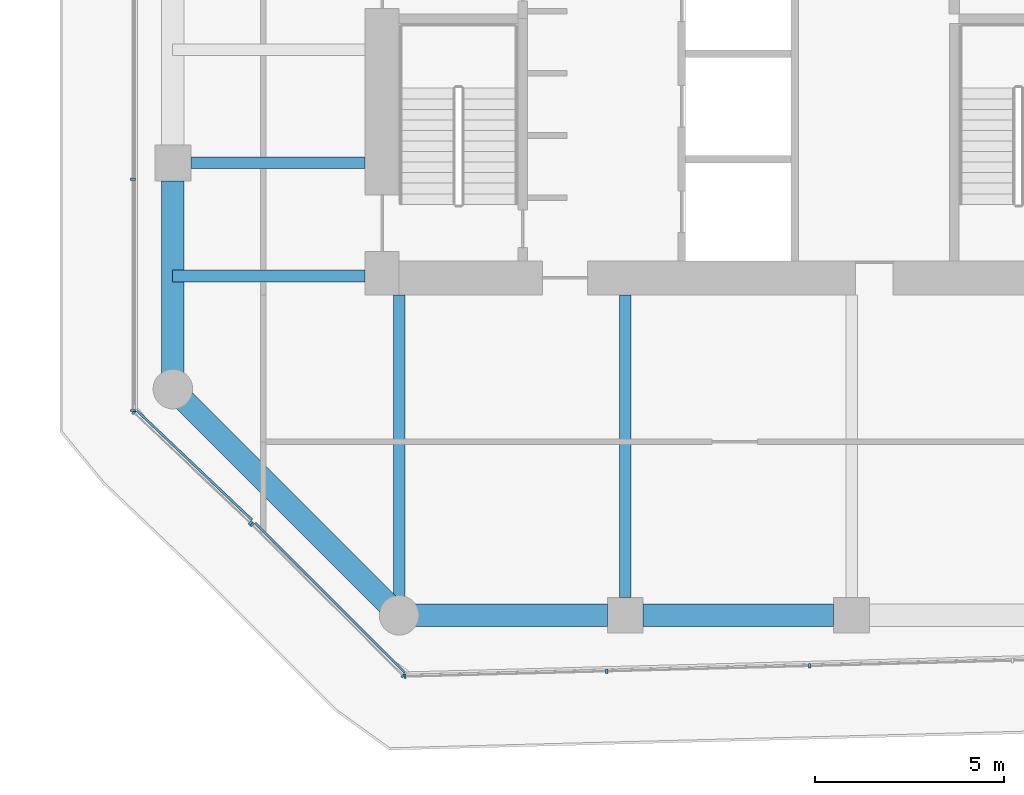
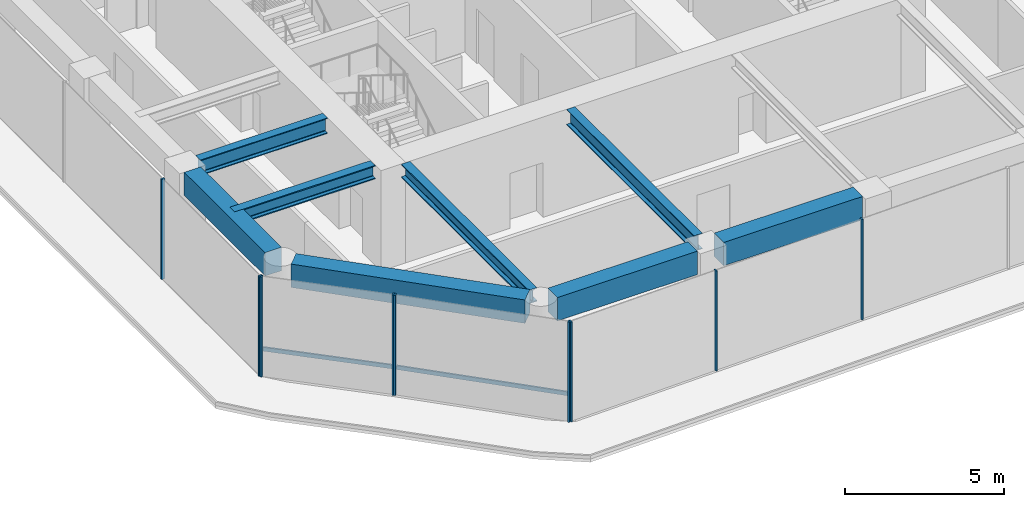
# One storey, part 2 of 29: 11 members, 8 beams, 4 elements without a shape of their own.
"""IFC4 building model written with IfcOpenShell, lengths in metres."""

from ifc_helpers import new_model, si_unit, direction, frame, origin, origin_2d, place, context, subcontext, project, spatial, rectangle, i_section, extrude, material, layer, layer_set, material_profile, profile_set, type_object, element, aggregate, save


model = new_model("IFC4")

# Units and contexts
model_context = context("Model", 3, precision=1e-05, world=origin(), true_north=direction((0.0, 1.0)))
body_context = subcontext(model_context, "Body", "Model", "MODEL_VIEW")
ifc_project = project(units=[si_unit("LENGTHUNIT", "METRE"), si_unit("AREAUNIT", "SQUARE_METRE"), si_unit("VOLUMEUNIT", "CUBIC_METRE"), si_unit("PLANEANGLEUNIT", "RADIAN"), si_unit("MASSUNIT", "GRAM", prefix="KILO")], contexts=[model_context])

# Site, building, storey
site_placement = place(None, origin())
site = spatial("IfcSite", under=ifc_project, at=site_placement, CompositionType="ELEMENT")
building_placement = place(site_placement, origin())
building = spatial("IfcBuilding", under=site, at=building_placement, Name="Welwitschia Terrace Campus", CompositionType="ELEMENT")
storey_placement = place(building_placement, frame((0.0, 0.0, 58.39990234375)))
storey = spatial("IfcBuildingStorey", under=building, at=storey_placement, Name="L13", CompositionType="ELEMENT", Elevation=58.39990234375)

# Beams
ifc_material_1 = material(Name="Steel S355", Category="steel")
ifc_material_profile_1 = material_profile(ifc_material_1, i_section(OverallWidth=0.305908203125, OverallDepth=0.52392578125, WebThickness=0.02099609375, FlangeThickness=0.0400390625, FilletRadius=0.027099609375, at=origin_2d()))
ifc_profile_set_1 = profile_set([ifc_material_profile_1], Name="Steel S355")
beam_type_1 = type_object("IfcBeamType", Name="Interior girder HE 500 M", PredefinedType="BEAM", material=ifc_profile_set_1)
beam_1_placement = place(storey_placement, frame((-0.010009765625, 5.0, 3.588134765625), z_axis=(1.0, 0.0, 0.0), x_axis=(0.0, 1.0, 0.0)))
element("IfcBeam", 1, at=beam_1_placement, inside=storey, type_object=beam_type_1, Name="Girder GB2", PredefinedType="BEAM", context=body_context, shape_type="SweptSolid", body=[
    extrude(i_section(OverallWidth=0.305908203125, OverallDepth=0.52392578125, WebThickness=0.02099609375, FlangeThickness=0.0400390625, FilletRadius=0.027099609375, at=origin_2d()), origin(), (0.0, 0.0, 1.0), 5.109130859375),
])
beam_2_placement = place(storey_placement, frame((6.0, -3.507080078125, 3.588134765625), z_axis=(0.0, 1.0, 0.0), x_axis=(-1.0, 0.0, 0.0)))
element("IfcBeam", 2, at=beam_2_placement, inside=storey, type_object=beam_type_1, Name="Girder GB2", PredefinedType="BEAM", context=body_context, shape_type="SweptSolid", body=[
    extrude(i_section(OverallWidth=0.305908203125, OverallDepth=0.52392578125, WebThickness=0.02099609375, FlangeThickness=0.0400390625, FilletRadius=0.027099609375, at=origin_2d()), origin(), (0.0, 0.0, 1.0), 8.006103515625),
])

# Curtain wall, members
ifc_material_2 = material(Name="Bronze anodised aluminium", Category="aluminium")
ifc_layer = layer(ifc_material_2, 0.1201171875)
ifc_layer_set = layer_set([ifc_layer], Name="Bronze anodised aluminium")
curtain_wall_type = type_object("IfcCurtainWallType", Name="Curtain wall CW2 tower 6000", PredefinedType="NOTDEFINED", material=ifc_layer_set)
curtain_wall_1_placement = place(storey_placement, origin())
curtain_wall_1 = element("IfcCurtainWall", 3, at=curtain_wall_1_placement, inside=storey, type_object=curtain_wall_type, Name="CW L13.0.0", PredefinedType="NOTDEFINED")
ifc_material_3 = material(Name="Bronze anodised aluminium", Category="aluminium")
ifc_material_profile_2 = material_profile(ifc_material_3, rectangle(XDim=0.1201171875, YDim=0.06005859375, at=origin_2d()))
ifc_profile_set_2 = profile_set([ifc_material_profile_2], Name="Bronze anodised aluminium")
member_type_1 = type_object("IfcMemberType", Name="Mullion 60x120", PredefinedType="MULLION", material=ifc_profile_set_2)
member_1_placement = place(storey_placement, frame((-1.0361328125, 1.381103515625, 0.0), z_axis=(0.0, 0.0, 1.0), x_axis=(0.688354575694, 0.725374371012, 0.0)))
member_1 = element("IfcMember", 4, at=member_1_placement, type_object=member_type_1, Name="Mullion L13.0.0.0", PredefinedType="MULLION", context=body_context, shape_type="SweptSolid", body=[
    extrude(rectangle(XDim=0.1201171875, YDim=0.06005859375, at=origin_2d()), origin(), (0.0, 0.0, 1.0), 3.85009765625),
])
member_2_placement = place(storey_placement, frame((2.055908203125, -1.55322265625, 0.0), z_axis=(0.0, 0.0, 1.0), x_axis=(0.688354575694, 0.725374371012, 0.0)))
member_2 = element("IfcMember", 5, at=member_2_placement, type_object=member_type_1, Name="Mullion L13.0.0.1", PredefinedType="MULLION", context=body_context, shape_type="SweptSolid", body=[
    extrude(rectangle(XDim=0.1201171875, YDim=0.06005859375, at=origin_2d()), origin(), (0.0, 0.0, 1.0), 3.85009765625),
])

curtain_wall_2_placement = place(storey_placement, origin())
curtain_wall_2 = element("IfcCurtainWall", 6, at=curtain_wall_2_placement, inside=storey, type_object=curtain_wall_type, Name="CW L13.1.0", PredefinedType="NOTDEFINED")
member_3_placement = place(storey_placement, frame((2.098876953125, -1.59521484375, 0.0), z_axis=(0.0, 0.0, 1.0), x_axis=(0.707106781187, 0.707106781187, 0.0)))
member_3 = element("IfcMember", 7, at=member_3_placement, type_object=member_type_1, Name="Mullion L13.1.0.0", PredefinedType="MULLION", context=body_context, shape_type="SweptSolid", body=[
    extrude(rectangle(XDim=0.1201171875, YDim=0.06005859375, at=origin_2d()), origin(), (0.0, 0.0, 1.0), 3.85009765625),
])
member_4_placement = place(storey_placement, frame((6.104248046875, -5.6005859375, 0.0), z_axis=(0.0, 0.0, 1.0), x_axis=(0.707106781187, 0.707106781187, 0.0)))
member_4 = element("IfcMember", 8, at=member_4_placement, type_object=member_type_1, Name="Mullion L13.1.0.1", PredefinedType="MULLION", context=body_context, shape_type="SweptSolid", body=[
    extrude(rectangle(XDim=0.1201171875, YDim=0.06005859375, at=origin_2d()), origin(), (0.0, 0.0, 1.0), 3.85009765625),
])

curtain_wall_3_placement = place(storey_placement, origin())
curtain_wall_3 = element("IfcCurtainWall", 9, at=curtain_wall_3_placement, inside=storey, type_object=curtain_wall_type, Name="CW L13.2.0", PredefinedType="NOTDEFINED")
member_5_placement = place(storey_placement, frame((6.155517578125, -5.620849609375, 0.0), z_axis=(0.0, 0.0, 1.0), x_axis=(-0.026176948308, 0.999657324976, 0.0)))
member_5 = element("IfcMember", 10, at=member_5_placement, type_object=member_type_1, Name="Mullion L13.2.0.0", PredefinedType="MULLION", context=body_context, shape_type="SweptSolid", body=[
    extrude(rectangle(XDim=0.1201171875, YDim=0.06005859375, at=origin_2d()), origin(), (0.0, 0.0, 1.0), 3.85009765625),
])
member_6_placement = place(storey_placement, frame((11.50732421875, -5.480712890625, 0.0), z_axis=(0.0, 0.0, 1.0), x_axis=(-0.026176948308, 0.999657324976, 0.0)))
member_6 = element("IfcMember", 11, at=member_6_placement, type_object=member_type_1, Name="Mullion L13.2.0.1", PredefinedType="MULLION", context=body_context, shape_type="SweptSolid", body=[
    extrude(rectangle(XDim=0.1201171875, YDim=0.06005859375, at=origin_2d()), origin(), (0.0, 0.0, 1.0), 3.85009765625),
])
member_7_placement = place(storey_placement, frame((16.88916015625, -5.33984375, 0.0), z_axis=(0.0, 0.0, 1.0), x_axis=(-0.026176948308, 0.999657324976, 0.0)))
member_7 = element("IfcMember", 12, at=member_7_placement, type_object=member_type_1, Name="Mullion L13.2.0.2", PredefinedType="MULLION", context=body_context, shape_type="SweptSolid", body=[
    extrude(rectangle(XDim=0.1201171875, YDim=0.06005859375, at=origin_2d()), origin(), (0.0, 0.0, 1.0), 3.85009765625),
])
aggregate(curtain_wall_3, [member_5, member_6, member_7])

curtain_wall_4_placement = place(storey_placement, origin())
curtain_wall_4 = element("IfcCurtainWall", 13, at=curtain_wall_4_placement, inside=storey, type_object=curtain_wall_type, Name="CW L13.12.0", PredefinedType="NOTDEFINED")
member_8_placement = place(storey_placement, frame((-1.05810546875, 7.5673828125, 0.0), z_axis=(0.0, 0.0, 1.0), x_axis=(1.0, 0.0, 0.0)))
member_8 = element("IfcMember", 14, at=member_8_placement, type_object=member_type_1, Name="Mullion L13.12.0.9", PredefinedType="MULLION", context=body_context, shape_type="SweptSolid", body=[
    extrude(rectangle(XDim=0.1201171875, YDim=0.06005859375, at=origin_2d()), origin(), (0.0, 0.0, 1.0), 3.85009765625),
])
member_9_placement = place(storey_placement, frame((-1.05810546875, 1.431640625, 0.0), z_axis=(0.0, 0.0, 1.0), x_axis=(1.0, 0.0, 0.0)))
member_9 = element("IfcMember", 15, at=member_9_placement, type_object=member_type_1, Name="Mullion L13.12.0.10", PredefinedType="MULLION", context=body_context, shape_type="SweptSolid", body=[
    extrude(rectangle(XDim=0.1201171875, YDim=0.06005859375, at=origin_2d()), origin(), (0.0, 0.0, 1.0), 3.85009765625),
])
aggregate(curtain_wall_4, [member_8, member_9])

# Beams
ifc_material_4 = material(Name="Steel S355", Category="steel")
ifc_material_profile_3 = material_profile(ifc_material_4, i_section(OverallWidth=0.300048828125, OverallDepth=0.60009765625, WebThickness=0.015380859375, FlangeThickness=0.030029296875, FilletRadius=0.027099609375, at=origin_2d()))
ifc_profile_set_3 = profile_set([ifc_material_profile_3], Name="Steel S355")
beam_type_2 = type_object("IfcBeamType", Name="Primary beam HE 600 B", PredefinedType="BEAM", material=ifc_profile_set_3)
beam_3_placement = place(storey_placement, frame((12.0, -3.5244140625, 3.550048828125), z_axis=(0.0, 1.0, 0.0), x_axis=(-1.0, 0.0, 0.0)))
element("IfcBeam", 16, at=beam_3_placement, inside=storey, type_object=beam_type_2, Name="Primary beam PB2", PredefinedType="BEAM", context=body_context, shape_type="SweptSolid", body=[
    extrude(i_section(OverallWidth=0.300048828125, OverallDepth=0.60009765625, WebThickness=0.015380859375, FlangeThickness=0.030029296875, FilletRadius=0.027099609375, at=origin_2d()), origin(), (0.0, 0.0, 1.0), 8.0244140625),
])
beam_4_placement = place(storey_placement, frame((0.4755859375, 8.0, 3.550048828125), z_axis=(1.0, 0.0, 0.0), x_axis=(0.0, 1.0, 0.0)))
element("IfcBeam", 17, at=beam_4_placement, inside=storey, type_object=beam_type_2, Name="Primary beam PB2", PredefinedType="BEAM", context=body_context, shape_type="SweptSolid", body=[
    extrude(i_section(OverallWidth=0.300048828125, OverallDepth=0.60009765625, WebThickness=0.015380859375, FlangeThickness=0.030029296875, FilletRadius=0.027099609375, at=origin_2d()), origin(), (0.0, 0.0, 1.0), 4.62451171875),
])
ifc_material_5 = material(Name="Concrete C60/75", Category="concrete")
ifc_material_profile_4 = material_profile(ifc_material_5, rectangle(XDim=0.60009765625, YDim=0.89990234375, at=origin_2d()))
ifc_profile_set_4 = profile_set([ifc_material_profile_4], Name="Concrete C60/75")
beam_type_3 = type_object("IfcBeamType", Name="Ring spandrel 600x900", PredefinedType="SPANDREL", material=ifc_profile_set_4)
beam_5_placement = place(storey_placement, frame((0.30517578125, 1.69482421875, 3.400146484375), z_axis=(0.707106781187, -0.707106781187, 0.0), x_axis=(0.707106781187, 0.707106781187, 0.0)))
element("IfcBeam", 18, at=beam_5_placement, inside=storey, type_object=beam_type_3, Name="Spandrel SP2", PredefinedType="SPANDREL", context=body_context, shape_type="SweptSolid", body=[
    extrude(rectangle(XDim=0.60009765625, YDim=0.89990234375, at=origin_2d()), origin(), (0.0, 0.0, 1.0), 7.6220703125),
])
beam_6_placement = place(storey_placement, frame((6.431396484375, -4.0, 3.400146484375), z_axis=(1.0, 0.0, 0.0), x_axis=(0.0, 1.0, 0.0)))
element("IfcBeam", 19, at=beam_6_placement, inside=storey, type_object=beam_type_3, Name="Spandrel SP2", PredefinedType="SPANDREL", context=body_context, shape_type="SweptSolid", body=[
    extrude(rectangle(XDim=0.60009765625, YDim=0.89990234375, at=origin_2d()), origin(), (0.0, 0.0, 1.0), 5.093017578125),
])
beam_7_placement = place(storey_placement, frame((12.4755859375, -4.0, 3.400146484375), z_axis=(1.0, 0.0, 0.0), x_axis=(0.0, 1.0, 0.0)))
element("IfcBeam", 20, at=beam_7_placement, inside=storey, type_object=beam_type_3, Name="Spandrel SP2", PredefinedType="SPANDREL", context=body_context, shape_type="SweptSolid", body=[
    extrude(rectangle(XDim=0.60009765625, YDim=0.89990234375, at=origin_2d()), origin(), (0.0, 0.0, 1.0), 5.048828125),
])
beam_8_placement = place(storey_placement, frame((0.0, 7.5244140625, 3.400146484375), z_axis=(0.0, -1.0, 0.0), x_axis=(1.0, 0.0, 0.0)))
element("IfcBeam", 21, at=beam_8_placement, inside=storey, type_object=beam_type_3, Name="Spandrel SP2", PredefinedType="SPANDREL", context=body_context, shape_type="SweptSolid", body=[
    extrude(rectangle(XDim=0.60009765625, YDim=0.89990234375, at=origin_2d()), origin(), (0.0, 0.0, 1.0), 5.093017578125),
])

# Member
ifc_material_6 = material(Name="Bronze anodised aluminium", Category="aluminium")
ifc_material_profile_5 = material_profile(ifc_material_6, rectangle(XDim=0.06005859375, YDim=0.14990234375, at=origin_2d()))
ifc_profile_set_5 = profile_set([ifc_material_profile_5], Name="Bronze anodised aluminium")
member_type_2 = type_object("IfcMemberType", Name="Transom 60x150", PredefinedType="USERDEFINED", material=ifc_profile_set_5)
member_10_placement = place(storey_placement, frame((-0.95263671875, 1.42578125, 1.0), z_axis=(0.725393789053, -0.68833411277, 0.0), x_axis=(0.68833411277, 0.725393789053, 0.0)))
member_10 = element("IfcMember", 22, at=member_10_placement, type_object=member_type_2, Name="Transom L13.0.0", ObjectType="TRANSOM", PredefinedType="USERDEFINED", context=body_context, shape_type="SweptSolid", body=[
    extrude(rectangle(XDim=0.06005859375, YDim=0.14990234375, at=origin_2d()), origin(), (0.0, 0.0, 1.0), 4.202880859375),
])

aggregate(curtain_wall_1, [member_1, member_2, member_10])

member_11_placement = place(storey_placement, frame((2.183837890625, -1.552734375, 1.0), z_axis=(0.707106781187, -0.707106781187, 0.0), x_axis=(0.707106781187, 0.707106781187, 0.0)))
member_11 = element("IfcMember", 23, at=member_11_placement, type_object=member_type_2, Name="Transom L13.1.0", ObjectType="TRANSOM", PredefinedType="USERDEFINED", context=body_context, shape_type="SweptSolid", body=[
    extrude(rectangle(XDim=0.06005859375, YDim=0.14990234375, at=origin_2d()), origin(), (0.0, 0.0, 1.0), 5.6044921875),
])

aggregate(curtain_wall_2, [member_3, member_4, member_11])

save(model, "model.ifc")
